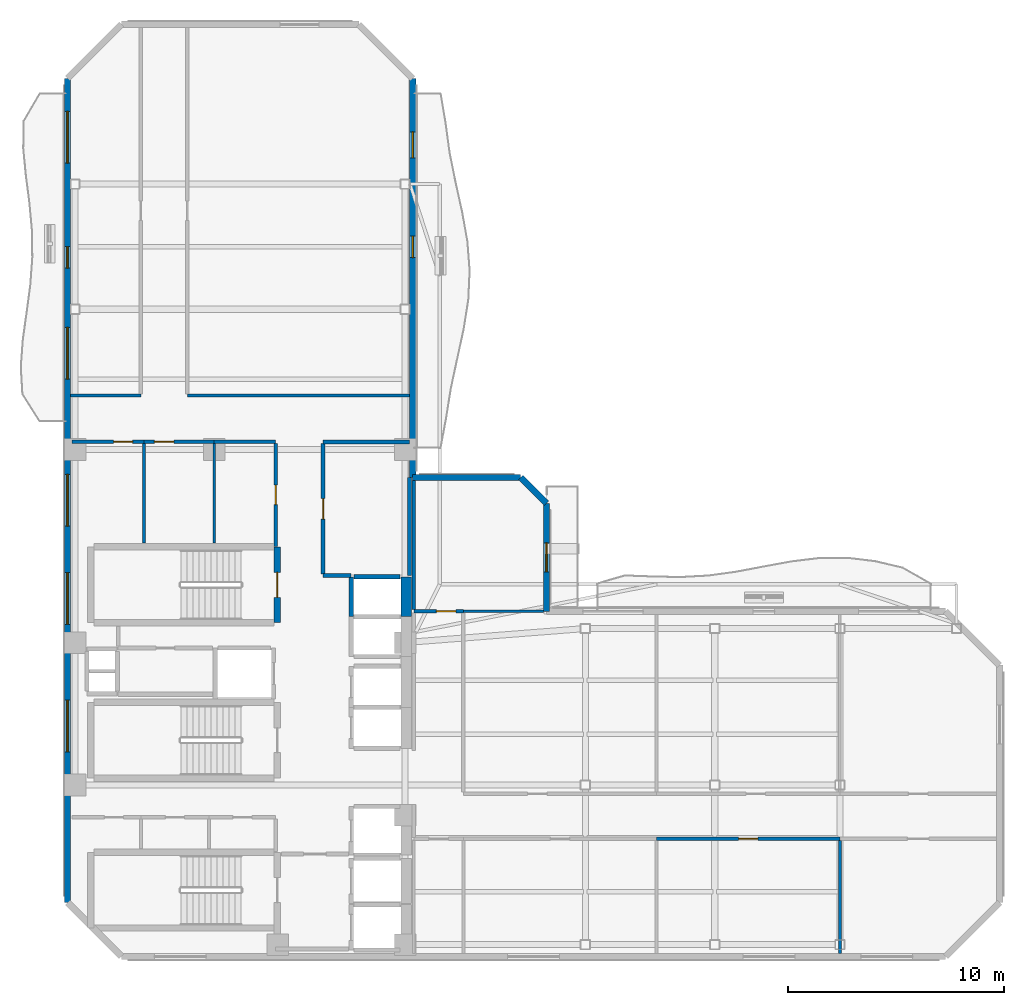
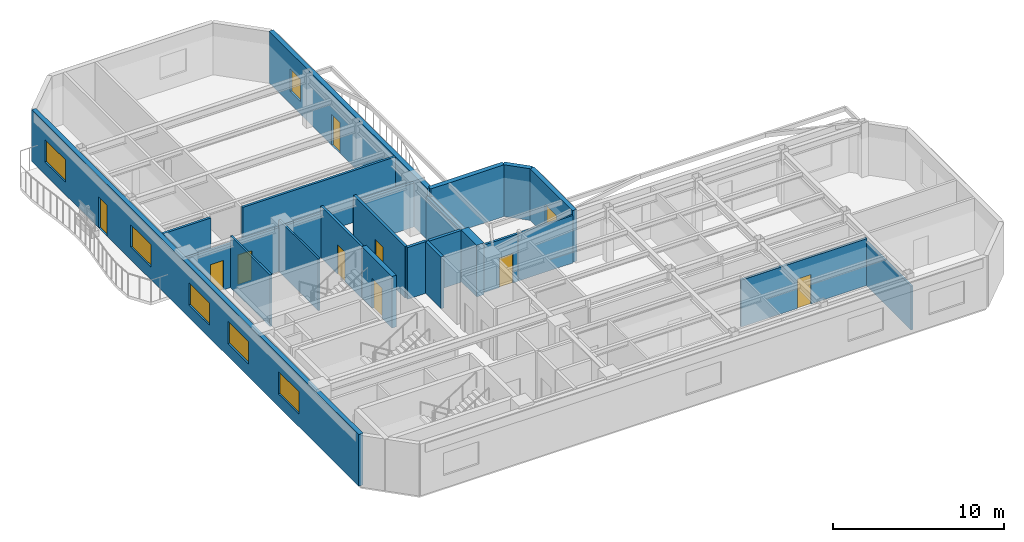
# One storey, part 4 of 11: 26 walls, 10 doors, 6 windows, 16 openings.
"""IFC4 building model written with IfcOpenShell, lengths in metres."""

from ifc_helpers import new_model, si_unit, direction, frame, frame_2d, origin, place, context, subcontext, project, spatial, rectangle, extrude, material, layer, layer_set, type_object, element, fill, save


model = new_model("IFC4")

# Units and contexts
model_context = context("Model", 3, precision=1e-05, world=origin(), true_north=direction((0.0, 1.0)))
body_context = subcontext(model_context, "Body", "Model", "MODEL_VIEW")
ifc_project = project(units=[si_unit("LENGTHUNIT", "METRE"), si_unit("AREAUNIT", "SQUARE_METRE"), si_unit("VOLUMEUNIT", "CUBIC_METRE"), si_unit("PLANEANGLEUNIT", "RADIAN"), si_unit("MASSUNIT", "GRAM", prefix="KILO")], contexts=[model_context])

# Site, building, storey
site_placement = place(None, origin())
site = spatial("IfcSite", under=ifc_project, at=site_placement, CompositionType="ELEMENT")
building_placement = place(site_placement, origin())
building = spatial("IfcBuilding", under=site, at=building_placement, Name="Mawjaban Terraces University", CompositionType="ELEMENT")
storey_placement = place(building_placement, frame((0.0, 0.0, 214.800048828125)))
storey = spatial("IfcBuildingStorey", under=building, at=storey_placement, Name="L52", CompositionType="ELEMENT", Elevation=214.800048828125)

# Walls
ifc_material_1 = material(Name="Acoustic masonry blockwork", Category="masonry")
ifc_layer_1 = layer(ifc_material_1, 0.179931640625)
ifc_layer_set_1 = layer_set([ifc_layer_1], Name="Acoustic masonry blockwork")
wall_type_1 = type_object("IfcWallType", Name="AcousticStudioWall_180", PredefinedType="PARTITIONING", material=ifc_layer_set_1)
wall_1_placement = place(storey_placement, frame((33.85009765625, 17.64990234375, 0.0), z_axis=(0.0, 0.0, 1.0), x_axis=(1.0, 0.0, 0.0)))
element("IfcWall", 1, at=wall_1_placement, inside=storey, type_object=wall_type_1, Name="L52 Graduate Research Collaboration Studio Partition 11", PredefinedType="PARTITIONING", context=body_context, shape_type="SweptSolid", body=[
    extrude(rectangle(XDim=1.2998046875, YDim=0.179931640625, at=frame_2d((0.64990234375, 0.0))), origin(), (0.0, 0.0, 1.0), 3.68994140625),
])
wall_2_placement = place(storey_placement, frame((37.85009765625, 23.85009765625, 0.0), z_axis=(0.0, 0.0, 1.0), x_axis=(-1.0, 0.0, 0.0)))
element("IfcWall", 2, at=wall_2_placement, inside=storey, type_object=wall_type_1, Name="L52 Graduate Research Collaboration Studio Partition 13", PredefinedType="PARTITIONING", context=body_context, shape_type="SweptSolid", body=[
    extrude(rectangle(XDim=4.0, YDim=0.179931640625, at=frame_2d((2.0, 0.0))), origin(), (0.0, 0.0, 1.0), 3.138916015625),
])

# Wall, opening, door
wall_3_placement = place(storey_placement, frame((33.85009765625, 17.735107421875, 0.0), z_axis=(0.0, 0.0, 1.0), x_axis=(0.0, 1.0, 0.0)))
wall_3 = element("IfcWall", 3, at=wall_3_placement, inside=storey, type_object=wall_type_1, Name="L52 Core North Lift Lobby Partition 33", PredefinedType="PARTITIONING", context=body_context, shape_type="SweptSolid", body=[
    extrude(rectangle(XDim=6.02978515625, YDim=0.179931640625, at=frame_2d((3.014892578125, 0.0))), origin(), (0.0, 0.0, 1.0), 3.68994140625),
])
opening_1_placement = place(wall_3_placement, frame((2.5400390625, 0.0, 0.0)))
opening_1 = element("IfcOpeningElement", 4, at=opening_1_placement, cuts=wall_3, Name="Opening ID-095", PredefinedType="OPENING", context=body_context, shape_type="SweptSolid", body=[
    extrude(rectangle(XDim=0.949951171875, YDim=2.10009765625, at=frame_2d((0.47509765625, 1.050048828125))), frame((0.0, 0.099853515625, 0.0), z_axis=(0.0, -1.0, 0.0), x_axis=(1.0, 0.0, 0.0)), (0.0, 0.0, 1.0), 0.199951171875),
])
ifc_material_2 = material(Name="Powder-coated steel frame and solid acoustic timber leaf", Category="steel")
door_type_1 = type_object("IfcDoorType", Name="StudioDoor_950x2100", OperationType="NOTDEFINED", PredefinedType="DOOR", material=ifc_material_2)
door_1_placement = place(opening_1_placement, origin())
door_1 = element("IfcDoor", 5, at=door_1_placement, inside=storey, type_object=door_type_1, Name="L52 Graduate Research Collaboration Studio Door", OperationType="SINGLE_SWING_LEFT", OverallHeight=2.10009765625, OverallWidth=0.949951171875, PredefinedType="DOOR", context=body_context, shape_type="SweptSolid", body=[
    extrude(rectangle(XDim=0.949951171875, YDim=2.10009765625, at=frame_2d((0.47509765625, 1.050048828125))), frame((0.0, 0.02490234375, 0.0), z_axis=(0.0, -1.0, 0.0), x_axis=(1.0, 0.0, 0.0)), (0.0, 0.0, 1.0), 0.050048828125),
])
fill(opening_1, door_1)

# Walls
wall_4_placement = place(storey_placement, frame((37.85009765625, 17.64990234375, 0.0), z_axis=(0.0, 0.0, 1.0), x_axis=(0.0, 1.0, 0.0)))
element("IfcWall", 6, at=wall_4_placement, inside=storey, type_object=wall_type_1, Name="L52 Graduate Research Collaboration Studio Partition 34", PredefinedType="PARTITIONING", context=body_context, shape_type="SweptSolid", body=[
    extrude(rectangle(XDim=4.550048828125, YDim=0.179931640625, at=frame_2d((2.27490234375, 0.0))), origin(), (0.0, 0.0, 1.0), 3.138916015625),
])
wall_5_placement = place(storey_placement, frame((38.050048828125, 22.054931640625, 0.0), z_axis=(0.0, 0.0, 1.0), x_axis=(0.0, -1.0, 0.0)))
element("IfcWall", 7, at=wall_5_placement, inside=storey, type_object=wall_type_1, Name="L52 Terrace Collaborative Study Room Partition 38", PredefinedType="PARTITIONING", context=body_context, shape_type="SweptSolid", body=[
    extrude(rectangle(XDim=5.97998046875, YDim=0.179931640625, at=frame_2d((2.989990234375, 0.0))), origin(), (0.0, 0.0, 1.0), 3.138916015625),
])
ifc_material_3 = material(Name="Concrete C60/75", Category="concrete")
ifc_layer_2 = layer(ifc_material_3, 0.5)
ifc_layer_set_2 = layer_set([ifc_layer_2], Name="Concrete C60/75")
wall_type_2 = type_object("IfcWallType", Name="CoreShearWall_500", PredefinedType="SHEAR", material=ifc_layer_set_2)
wall_6_placement = place(storey_placement, frame((37.699951171875, 15.75, 0.0), z_axis=(0.0, 0.0, 1.0), x_axis=(0.0, 1.0, 0.0)))
element("IfcWall", 8, at=wall_6_placement, inside=storey, type_object=wall_type_2, Name="L52 Lift OL-2 Hoistway Wall East", PredefinedType="SHEAR", context=body_context, shape_type="SweptSolid", body=[
    extrude(rectangle(XDim=1.85009765625, YDim=0.5, at=frame_2d((0.925048828125, 0.0))), origin(), (0.0, 0.0, 1.0), 3.68994140625),
])
ifc_material_4 = material(Name="Fire-rated gypsum board on steel stud", Category="steel")
ifc_layer_3 = layer(ifc_material_4, 0.159912109375)
ifc_layer_set_3 = layer_set([ifc_layer_3], Name="Fire-rated gypsum board on steel stud")
wall_type_3 = type_object("IfcWallType", Name="CorridorPartition_160", PredefinedType="PARTITIONING", material=ifc_layer_set_3)
wall_7_placement = place(storey_placement, frame((25.39990234375, 26.0, 0.0), z_axis=(0.0, 0.0, 1.0), x_axis=(-1.0, 0.0, 0.0)))
element("IfcWall", 9, at=wall_7_placement, inside=storey, type_object=wall_type_3, Name="L52 North Core Cross-Corridor Partition 5", PredefinedType="PARTITIONING", context=body_context, shape_type="SweptSolid", body=[
    extrude(rectangle(XDim=3.2548828125, YDim=0.159912109375, at=frame_2d((1.62744140625, 0.0))), origin(), (0.0, 0.0, 1.0), 3.68994140625),
])

# Wall, opening, door
wall_8_placement = place(storey_placement, frame((25.550048828125, 23.85009765625, 0.0), z_axis=(0.0, 0.0, 1.0), x_axis=(-1.0, 0.0, 0.0)))
wall_8 = element("IfcWall", 10, at=wall_8_placement, inside=storey, type_object=wall_type_3, Name="L52 Ablution Room Partition 6", PredefinedType="PARTITIONING", context=body_context, shape_type="SweptSolid", body=[
    extrude(rectangle(XDim=3.35009765625, YDim=0.159912109375, at=frame_2d((1.675048828125, 0.0))), origin(), (0.0, 0.0, 1.0), 3.138916015625),
])
opening_2_placement = place(wall_8_placement, frame((0.534912109375, 0.0, 0.0)))
opening_2 = element("IfcOpeningElement", 11, at=opening_2_placement, cuts=wall_8, Name="Opening ID-088", PredefinedType="OPENING", context=body_context, shape_type="SweptSolid", body=[
    extrude(rectangle(XDim=0.8798828125, YDim=2.10009765625, at=frame_2d((0.43994140625, 1.050048828125))), frame((0.0, 0.08984375, 0.0), z_axis=(0.0, -1.0, 0.0), x_axis=(1.0, 0.0, 0.0)), (0.0, 0.0, 1.0), 0.179931640625),
])
door_type_2 = type_object("IfcDoorType", Name="ToiletDoor_880x2100", OperationType="NOTDEFINED", PredefinedType="DOOR", material=ifc_material_2)
door_2_placement = place(opening_2_placement, origin())
door_2 = element("IfcDoor", 12, at=door_2_placement, inside=storey, type_object=door_type_2, Name="L52 Ablution Room Door", OperationType="SINGLE_SWING_LEFT", OverallHeight=2.10009765625, OverallWidth=0.8798828125, PredefinedType="DOOR", context=body_context, shape_type="SweptSolid", body=[
    extrude(rectangle(XDim=0.8798828125, YDim=2.10009765625, at=frame_2d((0.43994140625, 1.050048828125))), frame((0.0, 0.02490234375, 0.0), z_axis=(0.0, -1.0, 0.0), x_axis=(1.0, 0.0, 0.0)), (0.0, 0.0, 1.0), 0.050048828125),
])
fill(opening_2, door_2)

wall_9_placement = place(storey_placement, frame((28.800048828125, 23.85009765625, 0.0), z_axis=(0.0, 0.0, 1.0), x_axis=(-1.0, 0.0, 0.0)))
wall_9 = element("IfcWall", 13, at=wall_9_placement, inside=storey, type_object=wall_type_3, Name="L52 Cleaner Store Partition 8", PredefinedType="PARTITIONING", context=body_context, shape_type="SweptSolid", body=[
    extrude(rectangle(XDim=3.25, YDim=0.159912109375, at=frame_2d((1.625, 0.0))), origin(), (0.0, 0.0, 1.0), 3.138916015625),
])
opening_3_placement = place(wall_9_placement, frame((1.875, 0.0, 0.0)))
opening_3 = element("IfcOpeningElement", 14, at=opening_3_placement, cuts=wall_9, Name="Opening ID-090", PredefinedType="OPENING", context=body_context, shape_type="SweptSolid", body=[
    extrude(rectangle(XDim=0.89990234375, YDim=2.10009765625, at=frame_2d((0.449951171875, 1.050048828125))), frame((0.0, 0.08984375, 0.0), z_axis=(0.0, -1.0, 0.0), x_axis=(1.0, 0.0, 0.0)), (0.0, 0.0, 1.0), 0.179931640625),
])
door_type_3 = type_object("IfcDoorType", Name="OfficeDoor_900x2100", OperationType="NOTDEFINED", PredefinedType="DOOR", material=ifc_material_2)
door_3_placement = place(opening_3_placement, origin())
door_3 = element("IfcDoor", 15, at=door_3_placement, inside=storey, type_object=door_type_3, Name="L52 Cleaner Store Door", OperationType="SINGLE_SWING_RIGHT", OverallHeight=2.10009765625, OverallWidth=0.89990234375, PredefinedType="DOOR", context=body_context, shape_type="SweptSolid", body=[
    extrude(rectangle(XDim=0.89990234375, YDim=2.10009765625, at=frame_2d((0.449951171875, 1.050048828125))), frame((0.0, 0.02490234375, 0.0), z_axis=(0.0, -1.0, 0.0), x_axis=(1.0, 0.0, 0.0)), (0.0, 0.0, 1.0), 0.050048828125),
])
fill(opening_3, door_3)

# Walls
wall_10_placement = place(storey_placement, frame((31.64990234375, 23.85009765625, 0.0), z_axis=(0.0, 0.0, 1.0), x_axis=(-1.0, 0.0, 0.0)))
element("IfcWall", 16, at=wall_10_placement, inside=storey, type_object=wall_type_3, Name="L52 Faculty Academic Resource Office Partition 10", PredefinedType="PARTITIONING", context=body_context, shape_type="SweptSolid", body=[
    extrude(rectangle(XDim=2.849853515625, YDim=0.159912109375, at=frame_2d((1.4248046875, 0.0))), origin(), (0.0, 0.0, 1.0), 3.138916015625),
])
wall_11_placement = place(storey_placement, frame((37.85009765625, 26.0, 0.0), z_axis=(0.0, 0.0, 1.0), x_axis=(-1.0, 0.0, 0.0)))
element("IfcWall", 17, at=wall_11_placement, inside=storey, type_object=wall_type_3, Name="L52 North Core Cross-Corridor Partition 14", PredefinedType="PARTITIONING", context=body_context, shape_type="SweptSolid", body=[
    extrude(rectangle(XDim=10.300048828125, YDim=0.159912109375, at=frame_2d((5.14990234375, 0.0))), origin(), (0.0, 0.0, 1.0), 3.68994140625),
])

# Wall, opening, door
wall_12_placement = place(storey_placement, frame((40.35009765625, 16.0, 0.0), z_axis=(0.0, 0.0, 1.0), x_axis=(-1.0, 0.0, 0.0)))
wall_12 = element("IfcWall", 18, at=wall_12_placement, inside=storey, type_object=wall_type_3, Name="L52 South Spine Spur Link Partition 17", PredefinedType="PARTITIONING", context=body_context, shape_type="SweptSolid", body=[
    extrude(rectangle(XDim=2.300048828125, YDim=0.159912109375, at=frame_2d((1.14990234375, 0.0))), origin(), (0.0, 0.0, 1.0), 3.389892578125),
])
opening_4_placement = place(wall_12_placement, frame((0.35009765625, 0.0, 0.0)))
opening_4 = element("IfcOpeningElement", 19, at=opening_4_placement, cuts=wall_12, Name="Opening ID-090", PredefinedType="OPENING", context=body_context, shape_type="SweptSolid", body=[
    extrude(rectangle(XDim=0.89990234375, YDim=2.10009765625, at=frame_2d((0.449951171875, 1.050048828125))), frame((0.0, 0.08984375, 0.0), z_axis=(0.0, -1.0, 0.0), x_axis=(1.0, 0.0, 0.0)), (0.0, 0.0, 1.0), 0.179931640625),
])
door_4_placement = place(opening_4_placement, origin())
door_4 = element("IfcDoor", 20, at=door_4_placement, inside=storey, type_object=door_type_3, Name="L52 Terrace Collaborative Study Room Door", OperationType="SINGLE_SWING_RIGHT", OverallHeight=2.10009765625, OverallWidth=0.89990234375, PredefinedType="DOOR", context=body_context, shape_type="SweptSolid", body=[
    extrude(rectangle(XDim=0.89990234375, YDim=2.10009765625, at=frame_2d((0.449951171875, 1.050048828125))), frame((0.0, 0.02490234375, 0.0), z_axis=(0.0, -1.0, 0.0), x_axis=(1.0, 0.0, 0.0)), (0.0, 0.0, 1.0), 0.050048828125),
])
fill(opening_4, door_4)

wall_13_placement = place(storey_placement, frame((49.300048828125, 5.449951171875, 0.0), z_axis=(0.0, 0.0, 1.0), x_axis=(1.0, 0.0, 0.0)))
wall_13 = element("IfcWall", 21, at=wall_13_placement, inside=storey, type_object=wall_type_3, Name="L52 South Shifted Academic Corridor Partition 19", PredefinedType="PARTITIONING", context=body_context, shape_type="SweptSolid", body=[
    extrude(rectangle(XDim=8.5, YDim=0.159912109375, at=frame_2d((4.25, 0.0))), origin(), (0.0, 0.0, 1.0), 3.343017578125),
])
opening_5_placement = place(wall_13_placement, frame((3.800048828125, 0.0, 0.0)))
opening_5 = element("IfcOpeningElement", 22, at=opening_5_placement, cuts=wall_13, Name="Opening ID-090", PredefinedType="OPENING", context=body_context, shape_type="SweptSolid", body=[
    extrude(rectangle(XDim=0.89990234375, YDim=2.10009765625, at=frame_2d((0.449951171875, 1.050048828125))), frame((0.0, 0.08984375, 0.0), z_axis=(0.0, -1.0, 0.0), x_axis=(1.0, 0.0, 0.0)), (0.0, 0.0, 1.0), 0.179931640625),
])
door_5_placement = place(opening_5_placement, origin())
door_5 = element("IfcDoor", 23, at=door_5_placement, inside=storey, type_object=door_type_3, Name="L52 Graduate Study Lounge 4 Door", OperationType="SINGLE_SWING_RIGHT", OverallHeight=2.10009765625, OverallWidth=0.89990234375, PredefinedType="DOOR", context=body_context, shape_type="SweptSolid", body=[
    extrude(rectangle(XDim=0.89990234375, YDim=2.10009765625, at=frame_2d((0.449951171875, 1.050048828125))), frame((0.0, 0.02490234375, 0.0), z_axis=(0.0, -1.0, 0.0), x_axis=(1.0, 0.0, 0.0)), (0.0, 0.0, 1.0), 0.050048828125),
])
fill(opening_5, door_5)

wall_14_placement = place(storey_placement, frame((31.64990234375, 19.010009765625, 0.0), z_axis=(0.0, 0.0, 1.0), x_axis=(0.0, 1.0, 0.0)))
wall_14 = element("IfcWall", 24, at=wall_14_placement, inside=storey, type_object=wall_type_3, Name="L52 Faculty Academic Resource Office Partition 32", PredefinedType="PARTITIONING", context=body_context, shape_type="SweptSolid", body=[
    extrude(rectangle(XDim=4.764892578125, YDim=0.159912109375, at=frame_2d((2.38232421875, 0.0))), origin(), (0.0, 0.0, 1.0), 3.68994140625),
])
opening_6_placement = place(wall_14_placement, frame((1.931884765625, 0.0, 0.0)))
opening_6 = element("IfcOpeningElement", 25, at=opening_6_placement, cuts=wall_14, Name="Opening ID-090", PredefinedType="OPENING", context=body_context, shape_type="SweptSolid", body=[
    extrude(rectangle(XDim=0.89990234375, YDim=2.10009765625, at=frame_2d((0.449951171875, 1.050048828125))), frame((0.0, 0.08984375, 0.0), z_axis=(0.0, -1.0, 0.0), x_axis=(1.0, 0.0, 0.0)), (0.0, 0.0, 1.0), 0.179931640625),
])
door_6_placement = place(opening_6_placement, origin())
door_6 = element("IfcDoor", 26, at=door_6_placement, inside=storey, type_object=door_type_3, Name="L52 Faculty Academic Resource Office Door", OperationType="SINGLE_SWING_RIGHT", OverallHeight=2.10009765625, OverallWidth=0.89990234375, PredefinedType="DOOR", context=body_context, shape_type="SweptSolid", body=[
    extrude(rectangle(XDim=0.89990234375, YDim=2.10009765625, at=frame_2d((0.449951171875, 1.050048828125))), frame((0.0, 0.02490234375, 0.0), z_axis=(0.0, -1.0, 0.0), x_axis=(1.0, 0.0, 0.0)), (0.0, 0.0, 1.0), 0.050048828125),
])
fill(opening_6, door_6)

ifc_material_5 = material(Name="Insulated terracotta rainscreen on concrete backup C40/50", Category="masonry")
ifc_layer_4 = layer(ifc_material_5, 0.300048828125)
ifc_layer_set_4 = layer_set([ifc_layer_4], Name="Insulated terracotta rainscreen on concrete backup C40/50")
wall_type_4 = type_object("IfcWallType", Name="ExtTerracottaWall_300", PredefinedType="SOLIDWALL", material=ifc_layer_set_4)
wall_15_placement = place(storey_placement, frame((44.199951171875, 16.0, 0.0), z_axis=(0.0, 0.0, 1.0), x_axis=(0.0, 1.0, 0.0)))
wall_15 = element("IfcWall", 27, at=wall_15_placement, inside=storey, type_object=wall_type_4, Name="L52 Exterior Terracotta Wall 6", PredefinedType="SOLIDWALL", context=body_context, shape_type="SweptSolid", body=[
    extrude(rectangle(XDim=5.0, YDim=0.300048828125, at=frame_2d((2.5, 0.0))), origin(), (0.0, 0.0, 1.0), 3.68994140625),
])
opening_7_placement = place(wall_15_placement, frame((1.824951171875, 0.0, 0.0)))
opening_7 = element("IfcOpeningElement", 28, at=opening_7_placement, cuts=wall_15, Name="Opening TD-135", PredefinedType="OPENING", context=body_context, shape_type="SweptSolid", body=[
    extrude(rectangle(XDim=1.35009765625, YDim=2.199951171875, at=frame_2d((0.675048828125, 1.10009765625))), frame((0.0, 0.159912109375, 0.0), z_axis=(0.0, -1.0, 0.0), x_axis=(1.0, 0.0, 0.0)), (0.0, 0.0, 1.0), 0.320068359375),
])
ifc_material_6 = material(Name="Thermally broken anodised aluminium and laminated safety glass", Category="aluminium")
door_type_4 = type_object("IfcDoorType", Name="TerraceGlazedDoor_1350x2200", OperationType="NOTDEFINED", PredefinedType="DOOR", material=ifc_material_6)
door_7_placement = place(opening_7_placement, origin())
door_7 = element("IfcDoor", 29, at=door_7_placement, inside=storey, type_object=door_type_4, Name="L52 Terrace Access Door TER-L52-CLIMB", OperationType="SINGLE_SWING_RIGHT", OverallHeight=2.199951171875, OverallWidth=1.35009765625, PredefinedType="DOOR", context=body_context, shape_type="SweptSolid", body=[
    extrude(rectangle(XDim=1.35009765625, YDim=2.199951171875, at=frame_2d((0.675048828125, 1.10009765625))), frame((0.0, 0.02490234375, 0.0), z_axis=(0.0, -1.0, 0.0), x_axis=(1.0, 0.0, 0.0)), (0.0, 0.0, 1.0), 0.050048828125),
])
fill(opening_7, door_7)

# Walls
wall_16_placement = place(storey_placement, frame((44.199951171875, 21.0, 0.0), z_axis=(0.0, 0.0, 1.0), x_axis=(-0.707106781187, 0.707106781187, 0.0)))
element("IfcWall", 30, at=wall_16_placement, inside=storey, type_object=wall_type_4, Name="L52 Exterior Terracotta Wall 7", PredefinedType="SOLIDWALL", context=body_context, shape_type="SweptSolid", body=[
    extrude(rectangle(XDim=1.697021484375, YDim=0.300048828125, at=frame_2d((0.8486328125, 0.0))), origin(), (0.0, 0.0, 1.0), 3.68994140625),
])
wall_17_placement = place(storey_placement, frame((43.0, 22.199951171875, 0.0), z_axis=(0.0, 0.0, 1.0), x_axis=(-1.0, 0.0, 0.0)))
element("IfcWall", 31, at=wall_17_placement, inside=storey, type_object=wall_type_4, Name="L52 Exterior Terracotta Wall 8", PredefinedType="SOLIDWALL", context=body_context, shape_type="SweptSolid", body=[
    extrude(rectangle(XDim=5.0, YDim=0.300048828125, at=frame_2d((2.5, 0.0))), origin(), (0.0, 0.0, 1.0), 3.68994140625),
])

# Wall, openings, door, window
wall_18_placement = place(storey_placement, frame((38.0, 22.199951171875, 0.0), z_axis=(0.0, 0.0, 1.0), x_axis=(0.0, 1.0, 0.0)))
wall_18 = element("IfcWall", 32, at=wall_18_placement, inside=storey, type_object=wall_type_4, Name="L52 Exterior Terracotta Wall 9", PredefinedType="SOLIDWALL", context=body_context, shape_type="SweptSolid", body=[
    extrude(rectangle(XDim=18.5, YDim=0.300048828125, at=frame_2d((9.25, 0.0))), origin(), (0.0, 0.0, 1.0), 3.68994140625),
])
opening_8_placement = place(wall_18_placement, frame((10.19091796875, 0.0, 0.0)))
opening_8 = element("IfcOpeningElement", 33, at=opening_8_placement, cuts=wall_18, Name="Opening BD-100", PredefinedType="OPENING", context=body_context, shape_type="SweptSolid", body=[
    extrude(rectangle(XDim=1.0, YDim=2.199951171875, at=frame_2d((0.5, 1.10009765625))), frame((0.0, 0.159912109375, 0.0), z_axis=(0.0, -1.0, 0.0), x_axis=(1.0, 0.0, 0.0)), (0.0, 0.0, 1.0), 0.320068359375),
])
opening_9_placement = place(wall_18_placement, frame((14.81689453125, 0.0, 0.89990234375)))
opening_9 = element("IfcOpeningElement", 34, at=opening_9_placement, cuts=wall_18, Name="Opening W-01", PredefinedType="OPENING", context=body_context, shape_type="SweptSolid", body=[
    extrude(rectangle(XDim=1.199951171875, YDim=1.60009765625, at=frame_2d((0.60009765625, 0.800048828125))), frame((0.0, 0.159912109375, 0.0), z_axis=(0.0, -1.0, 0.0), x_axis=(1.0, 0.0, 0.0)), (0.0, 0.0, 1.0), 0.320068359375),
])
door_type_5 = type_object("IfcDoorType", Name="BalconyGlazedDoor_1000x2200", OperationType="NOTDEFINED", PredefinedType="DOOR", material=ifc_material_6)
door_8_placement = place(opening_8_placement, origin())
door_8 = element("IfcDoor", 35, at=door_8_placement, inside=storey, type_object=door_type_5, Name="L52 Balcony Access Door inner_east", OperationType="SINGLE_SWING_LEFT", OverallHeight=2.199951171875, OverallWidth=1.0, PredefinedType="DOOR", context=body_context, shape_type="SweptSolid", body=[
    extrude(rectangle(XDim=1.0, YDim=2.199951171875, at=frame_2d((0.5, 1.10009765625))), frame((0.0, 0.02490234375, 0.0), z_axis=(0.0, -1.0, 0.0), x_axis=(1.0, 0.0, 0.0)), (0.0, 0.0, 1.0), 0.050048828125),
])
fill(opening_8, door_8)
ifc_material_7 = material(Name="Low-E solar-control double glazing in thermally broken aluminium frame", Category="aluminium")
window_type_1 = type_object("IfcWindowType", Name="Win_1200x1600", PartitioningType="SINGLE_PANEL", PredefinedType="WINDOW", material=ifc_material_7)
window_1_placement = place(opening_9_placement, origin())
window_1 = element("IfcWindow", 36, at=window_1_placement, inside=storey, type_object=window_type_1, Name="L52 Facade Window 9.3", OverallHeight=1.60009765625, OverallWidth=1.199951171875, PartitioningType="SINGLE_PANEL", PredefinedType="WINDOW", context=body_context, shape_type="SweptSolid", body=[
    extrude(rectangle(XDim=1.199951171875, YDim=1.60009765625, at=frame_2d((0.60009765625, 0.800048828125))), frame((0.0, 0.030029296875, 0.0), z_axis=(0.0, -1.0, 0.0), x_axis=(1.0, 0.0, 0.0)), (0.0, 0.0, 1.0), 0.06005859375),
])
fill(opening_9, window_1)

# Wall, openings, door, windows
wall_19_placement = place(storey_placement, frame((22.0, 40.699951171875, 0.0), z_axis=(0.0, 0.0, 1.0), x_axis=(0.0, -1.0, 0.0)))
wall_19 = element("IfcWall", 37, at=wall_19_placement, inside=storey, type_object=wall_type_4, Name="L52 Exterior Terracotta Wall 13", PredefinedType="SOLIDWALL", context=body_context, shape_type="SweptSolid", body=[
    extrude(rectangle(XDim=38.199951171875, YDim=0.300048828125, at=frame_2d((19.10009765625, 0.0))), origin(), (0.0, 0.0, 1.0), 3.68994140625),
])
opening_10_placement = place(wall_19_placement, frame((7.800048828125, 0.0, 0.0)))
opening_10 = element("IfcOpeningElement", 38, at=opening_10_placement, cuts=wall_19, Name="Opening BD-100", PredefinedType="OPENING", context=body_context, shape_type="SweptSolid", body=[
    extrude(rectangle(XDim=1.0, YDim=2.199951171875, at=frame_2d((0.5, 1.10009765625))), frame((0.0, 0.159912109375, 0.0), z_axis=(0.0, -1.0, 0.0), x_axis=(1.0, 0.0, 0.0)), (0.0, 0.0, 1.0), 0.320068359375),
])
opening_11_placement = place(wall_19_placement, frame((1.529052734375, 0.0, 0.89990234375)))
opening_11 = element("IfcOpeningElement", 39, at=opening_11_placement, cuts=wall_19, Name="Opening W-05", PredefinedType="OPENING", context=body_context, shape_type="SweptSolid", body=[
    extrude(rectangle(XDim=2.39990234375, YDim=1.60009765625, at=frame_2d((1.199951171875, 0.800048828125))), frame((0.0, 0.159912109375, 0.0), z_axis=(0.0, -1.0, 0.0), x_axis=(1.0, 0.0, 0.0)), (0.0, 0.0, 1.0), 0.320068359375),
])
opening_12_placement = place(wall_19_placement, frame((11.54296875, 0.0, 0.89990234375)))
opening_12 = element("IfcOpeningElement", 40, at=opening_12_placement, cuts=wall_19, Name="Opening W-05", PredefinedType="OPENING", context=body_context, shape_type="SweptSolid", body=[
    extrude(rectangle(XDim=2.39990234375, YDim=1.60009765625, at=frame_2d((1.199951171875, 0.800048828125))), frame((0.0, 0.159912109375, 0.0), z_axis=(0.0, -1.0, 0.0), x_axis=(1.0, 0.0, 0.0)), (0.0, 0.0, 1.0), 0.320068359375),
])
opening_13_placement = place(wall_19_placement, frame((18.35009765625, 0.0, 0.89990234375)))
opening_13 = element("IfcOpeningElement", 41, at=opening_13_placement, cuts=wall_19, Name="Opening W-05", PredefinedType="OPENING", context=body_context, shape_type="SweptSolid", body=[
    extrude(rectangle(XDim=2.39990234375, YDim=1.60009765625, at=frame_2d((1.199951171875, 0.800048828125))), frame((0.0, 0.159912109375, 0.0), z_axis=(0.0, -1.0, 0.0), x_axis=(1.0, 0.0, 0.0)), (0.0, 0.0, 1.0), 0.320068359375),
])
opening_14_placement = place(wall_19_placement, frame((22.906982421875, 0.0, 0.89990234375)))
opening_14 = element("IfcOpeningElement", 42, at=opening_14_placement, cuts=wall_19, Name="Opening W-05", PredefinedType="OPENING", context=body_context, shape_type="SweptSolid", body=[
    extrude(rectangle(XDim=2.39990234375, YDim=1.60009765625, at=frame_2d((1.199951171875, 0.800048828125))), frame((0.0, 0.159912109375, 0.0), z_axis=(0.0, -1.0, 0.0), x_axis=(1.0, 0.0, 0.0)), (0.0, 0.0, 1.0), 0.320068359375),
])
opening_15_placement = place(wall_19_placement, frame((28.81396484375, 0.0, 0.89990234375)))
opening_15 = element("IfcOpeningElement", 43, at=opening_15_placement, cuts=wall_19, Name="Opening W-05", PredefinedType="OPENING", context=body_context, shape_type="SweptSolid", body=[
    extrude(rectangle(XDim=2.39990234375, YDim=1.60009765625, at=frame_2d((1.199951171875, 0.800048828125))), frame((0.0, 0.159912109375, 0.0), z_axis=(0.0, -1.0, 0.0), x_axis=(1.0, 0.0, 0.0)), (0.0, 0.0, 1.0), 0.320068359375),
])
door_9_placement = place(opening_10_placement, origin())
door_9 = element("IfcDoor", 44, at=door_9_placement, inside=storey, type_object=door_type_5, Name="L52 Balcony Access Door west", OperationType="SINGLE_SWING_LEFT", OverallHeight=2.199951171875, OverallWidth=1.0, PredefinedType="DOOR", context=body_context, shape_type="SweptSolid", body=[
    extrude(rectangle(XDim=1.0, YDim=2.199951171875, at=frame_2d((0.5, 1.10009765625))), frame((0.0, 0.02490234375, 0.0), z_axis=(0.0, -1.0, 0.0), x_axis=(1.0, 0.0, 0.0)), (0.0, 0.0, 1.0), 0.050048828125),
])
fill(opening_10, door_9)
window_type_2 = type_object("IfcWindowType", Name="Win_2400x1600", PartitioningType="SINGLE_PANEL", PredefinedType="WINDOW", material=ifc_material_7)
window_2_placement = place(opening_11_placement, origin())
window_2 = element("IfcWindow", 45, at=window_2_placement, inside=storey, type_object=window_type_2, Name="L52 Facade Window 13.1", OverallHeight=1.60009765625, OverallWidth=2.39990234375, PartitioningType="SINGLE_PANEL", PredefinedType="WINDOW", context=body_context, shape_type="SweptSolid", body=[
    extrude(rectangle(XDim=2.39990234375, YDim=1.60009765625, at=frame_2d((1.199951171875, 0.800048828125))), frame((0.0, 0.030029296875, 0.0), z_axis=(0.0, -1.0, 0.0), x_axis=(1.0, 0.0, 0.0)), (0.0, 0.0, 1.0), 0.06005859375),
])
fill(opening_11, window_2)
window_3_placement = place(opening_12_placement, origin())
window_3 = element("IfcWindow", 46, at=window_3_placement, inside=storey, type_object=window_type_2, Name="L52 Facade Window 13.3", OverallHeight=1.60009765625, OverallWidth=2.39990234375, PartitioningType="SINGLE_PANEL", PredefinedType="WINDOW", context=body_context, shape_type="SweptSolid", body=[
    extrude(rectangle(XDim=2.39990234375, YDim=1.60009765625, at=frame_2d((1.199951171875, 0.800048828125))), frame((0.0, 0.030029296875, 0.0), z_axis=(0.0, -1.0, 0.0), x_axis=(1.0, 0.0, 0.0)), (0.0, 0.0, 1.0), 0.06005859375),
])
fill(opening_12, window_3)
window_4_placement = place(opening_13_placement, origin())
window_4 = element("IfcWindow", 47, at=window_4_placement, inside=storey, type_object=window_type_2, Name="L52 Facade Window 13.4", OverallHeight=1.60009765625, OverallWidth=2.39990234375, PartitioningType="SINGLE_PANEL", PredefinedType="WINDOW", context=body_context, shape_type="SweptSolid", body=[
    extrude(rectangle(XDim=2.39990234375, YDim=1.60009765625, at=frame_2d((1.199951171875, 0.800048828125))), frame((0.0, 0.030029296875, 0.0), z_axis=(0.0, -1.0, 0.0), x_axis=(1.0, 0.0, 0.0)), (0.0, 0.0, 1.0), 0.06005859375),
])
fill(opening_13, window_4)
window_5_placement = place(opening_14_placement, origin())
window_5 = element("IfcWindow", 48, at=window_5_placement, inside=storey, type_object=window_type_2, Name="L52 Facade Window 13.5", OverallHeight=1.60009765625, OverallWidth=2.39990234375, PartitioningType="SINGLE_PANEL", PredefinedType="WINDOW", context=body_context, shape_type="SweptSolid", body=[
    extrude(rectangle(XDim=2.39990234375, YDim=1.60009765625, at=frame_2d((1.199951171875, 0.800048828125))), frame((0.0, 0.030029296875, 0.0), z_axis=(0.0, -1.0, 0.0), x_axis=(1.0, 0.0, 0.0)), (0.0, 0.0, 1.0), 0.06005859375),
])
fill(opening_14, window_5)
window_6_placement = place(opening_15_placement, origin())
window_6 = element("IfcWindow", 49, at=window_6_placement, inside=storey, type_object=window_type_2, Name="L52 Facade Window 13.6", OverallHeight=1.60009765625, OverallWidth=2.39990234375, PartitioningType="SINGLE_PANEL", PredefinedType="WINDOW", context=body_context, shape_type="SweptSolid", body=[
    extrude(rectangle(XDim=2.39990234375, YDim=1.60009765625, at=frame_2d((1.199951171875, 0.800048828125))), frame((0.0, 0.030029296875, 0.0), z_axis=(0.0, -1.0, 0.0), x_axis=(1.0, 0.0, 0.0)), (0.0, 0.0, 1.0), 0.06005859375),
])
fill(opening_15, window_6)

# Walls
ifc_material_8 = material(Name="Concrete C40/50", Category="concrete")
ifc_layer_5 = layer(ifc_material_8, 0.199951171875)
ifc_layer_set_5 = layer_set([ifc_layer_5], Name="Concrete C40/50")
wall_type_5 = type_object("IfcWallType", Name="FireLobbyWall_200", PredefinedType="SOLIDWALL", material=ifc_layer_set_5)
wall_20_placement = place(storey_placement, frame((35.14990234375, 17.60009765625, 0.0), z_axis=(0.0, 0.0, 1.0), x_axis=(0.0, -1.0, 0.0)))
element("IfcWall", 50, at=wall_20_placement, inside=storey, type_object=wall_type_5, Name="L52 Lift OL-2 Hoistway Wall West", PredefinedType="SOLIDWALL", context=body_context, shape_type="SweptSolid", body=[
    extrude(rectangle(XDim=1.85009765625, YDim=0.199951171875, at=frame_2d((0.925048828125, 0.0))), origin(), (0.0, 0.0, 1.0), 3.68994140625),
])
wall_21_placement = place(storey_placement, frame((37.419921875, 17.60009765625, 0.0), z_axis=(0.0, 0.0, 1.0), x_axis=(-1.0, 0.0, 0.0)))
element("IfcWall", 51, at=wall_21_placement, inside=storey, type_object=wall_type_5, Name="L52 Lift OL-2 Hoistway Wall North", PredefinedType="SOLIDWALL", context=body_context, shape_type="SweptSolid", body=[
    extrude(rectangle(XDim=2.139892578125, YDim=0.199951171875, at=frame_2d((1.06982421875, 0.0))), origin(), (0.0, 0.0, 1.0), 3.68994140625),
])
ifc_material_9 = material(Name="Gypsum plasterboard on steel stud", Category="steel")
ifc_layer_6 = layer(ifc_material_9, 0.125)
ifc_layer_set_6 = layer_set([ifc_layer_6], Name="Gypsum plasterboard on steel stud")
wall_type_6 = type_object("IfcWallType", Name="OfficePartition_125", PredefinedType="PARTITIONING", material=ifc_layer_set_6)
wall_22_placement = place(storey_placement, frame((40.35009765625, 16.0, 0.0), z_axis=(0.0, 0.0, 1.0), x_axis=(1.0, 0.0, 0.0)))
element("IfcWall", 52, at=wall_22_placement, inside=storey, type_object=wall_type_6, Name="L52 Terrace Collaborative Study Room Partition 18", PredefinedType="PARTITIONING", context=body_context, shape_type="SweptSolid", body=[
    extrude(rectangle(XDim=3.704833984375, YDim=0.125, at=frame_2d((1.8525390625, 0.0))), origin(), (0.0, 0.0, 1.0), 3.389892578125),
])
wall_23_placement = place(storey_placement, frame((28.800048828125, 23.77490234375, 0.0), z_axis=(0.0, 0.0, 1.0), x_axis=(0.0, -1.0, 0.0)))
element("IfcWall", 53, at=wall_23_placement, inside=storey, type_object=wall_type_6, Name="L52 Faculty Academic Resource Office Partition 30", PredefinedType="PARTITIONING", context=body_context, shape_type="SweptSolid", body=[
    extrude(rectangle(XDim=4.614990234375, YDim=0.125, at=frame_2d((2.3076171875, 0.0))), origin(), (0.0, 0.0, 1.0), 3.68994140625),
])
wall_24_placement = place(storey_placement, frame((57.800048828125, 0.14501953125, 0.0), z_axis=(0.0, 0.0, 1.0), x_axis=(0.0, 1.0, 0.0)))
element("IfcWall", 54, at=wall_24_placement, inside=storey, type_object=wall_type_6, Name="L52 Graduate Study Lounge 4 Partition 43", PredefinedType="PARTITIONING", context=body_context, shape_type="SweptSolid", body=[
    extrude(rectangle(XDim=5.22998046875, YDim=0.125, at=frame_2d((2.614990234375, 0.0))), origin(), (0.0, 0.0, 1.0), 3.138916015625),
])

# Wall, opening, door
ifc_layer_7 = layer(ifc_material_3, 0.300048828125)
ifc_layer_set_7 = layer_set([ifc_layer_7], Name="Concrete C60/75")
wall_type_7 = type_object("IfcWallType", Name="StairShaftWall_300", PredefinedType="SHEAR", material=ifc_layer_set_7)
wall_25_placement = place(storey_placement, frame((31.72998046875, 15.469970703125, 0.0), z_axis=(0.0, 0.0, 1.0), x_axis=(0.0, 1.0, 0.0)))
wall_25 = element("IfcWall", 55, at=wall_25_placement, inside=storey, type_object=wall_type_7, Name="L52 ST-2 Stair Shaft Wall 4", PredefinedType="SHEAR", context=body_context, shape_type="SweptSolid", body=[
    extrude(rectangle(XDim=3.510009765625, YDim=0.300048828125, at=frame_2d((1.7548828125, 0.0))), origin(), (0.0, 0.0, 1.0), 3.68994140625),
])
opening_16_placement = place(wall_25_placement, frame((1.179931640625, 0.0, 0.0)))
opening_16 = element("IfcOpeningElement", 56, at=opening_16_placement, cuts=wall_25, Name="Opening FD-115", PredefinedType="OPENING", context=body_context, shape_type="SweptSolid", body=[
    extrude(rectangle(XDim=1.14990234375, YDim=2.14990234375, at=frame_2d((0.574951171875, 1.074951171875))), frame((0.0, 0.159912109375, 0.0), z_axis=(0.0, -1.0, 0.0), x_axis=(1.0, 0.0, 0.0)), (0.0, 0.0, 1.0), 0.320068359375),
])
ifc_material_10 = material(Name="Powder-coated steel frame and fire-rated steel-faced leaf", Category="steel")
door_type_6 = type_object("IfcDoorType", Name="FireStairDoor_1150x2150", OperationType="NOTDEFINED", PredefinedType="DOOR", material=ifc_material_10)
door_10_placement = place(opening_16_placement, origin())
door_10 = element("IfcDoor", 57, at=door_10_placement, inside=storey, type_object=door_type_6, Name="L52 ST-2 Pressurised Stair Fire Door", OperationType="SINGLE_SWING_RIGHT", OverallHeight=2.14990234375, OverallWidth=1.14990234375, PredefinedType="DOOR", context=body_context, shape_type="SweptSolid", body=[
    extrude(rectangle(XDim=1.14990234375, YDim=2.14990234375, at=frame_2d((0.574951171875, 1.074951171875))), frame((0.0, 0.02490234375, 0.0), z_axis=(0.0, -1.0, 0.0), x_axis=(1.0, 0.0, 0.0)), (0.0, 0.0, 1.0), 0.050048828125),
])
fill(opening_16, door_10)

# Wall
ifc_material_11 = material(Name="Cement-board wet-room partition", Category="masonry")
ifc_layer_8 = layer(ifc_material_11, 0.135009765625)
ifc_layer_set_8 = layer_set([ifc_layer_8], Name="Cement-board wet-room partition")
wall_type_8 = type_object("IfcWallType", Name="WetRoomPartition_135", PredefinedType="PARTITIONING", material=ifc_layer_set_8)
wall_26_placement = place(storey_placement, frame((25.550048828125, 19.159912109375, 0.0), z_axis=(0.0, 0.0, 1.0), x_axis=(0.0, 1.0, 0.0)))
element("IfcWall", 58, at=wall_26_placement, inside=storey, type_object=wall_type_8, Name="L52 Ablution Room Partition 27", PredefinedType="PARTITIONING", context=body_context, shape_type="SweptSolid", body=[
    extrude(rectangle(XDim=4.614990234375, YDim=0.135009765625, at=frame_2d((2.3076171875, 0.0))), origin(), (0.0, 0.0, 1.0), 3.68994140625),
])

save(model, "model.ifc")
